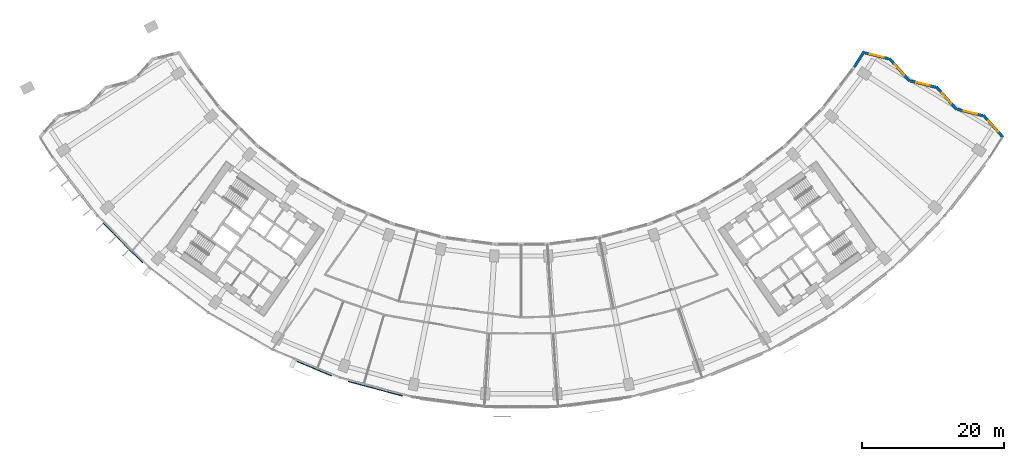
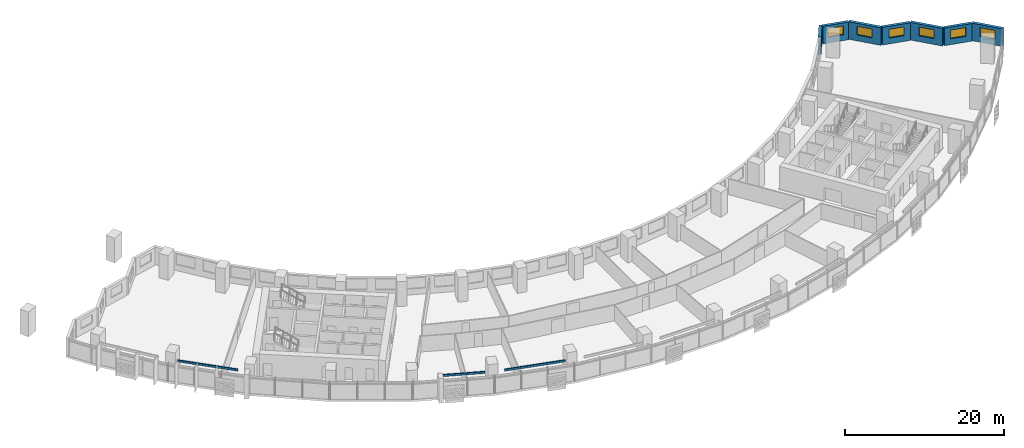
# One storey, part 8 of 31: 7 walls, 6 windows, 3 discrete accessories, 6 openings.
"""IFC4 building model written with IfcOpenShell, lengths in metres."""

from ifc_helpers import new_model, si_unit, direction, frame, frame_2d, origin, origin_2d, place, context, subcontext, project, spatial, rectangle, extrude, material, layer, layer_set, type_object, element, fill, save


model = new_model("IFC4")

# Units and contexts
model_context = context("Model", 3, precision=1e-05, world=origin(), true_north=direction((0.0, 1.0)))
body_context = subcontext(model_context, "Body", "Model", "MODEL_VIEW")
ifc_project = project(units=[si_unit("LENGTHUNIT", "METRE"), si_unit("AREAUNIT", "SQUARE_METRE"), si_unit("VOLUMEUNIT", "CUBIC_METRE"), si_unit("PLANEANGLEUNIT", "RADIAN"), si_unit("MASSUNIT", "GRAM", prefix="KILO")], contexts=[model_context])

# Site, building, storey
site_placement = place(None, origin())
site = spatial("IfcSite", under=ifc_project, at=site_placement, CompositionType="ELEMENT")
building_placement = place(site_placement, origin())
building = spatial("IfcBuilding", under=site, at=building_placement, Name="Qamariyya Broadcast Tower", CompositionType="ELEMENT")
storey_placement = place(building_placement, frame((0.0, 0.0, 82.300048828125)))
storey = spatial("IfcBuildingStorey", under=building, at=storey_placement, Name="L17", CompositionType="ELEMENT", Elevation=82.300048828125)

# Wall, opening, window
ifc_material_1 = material(Name="Terracotta", Category="masonry")
ifc_layer = layer(ifc_material_1, 0.39990234375)
ifc_layer_set = layer_set([ifc_layer], Name="Terracotta clad wall 400")
wall_type = type_object("IfcWallType", Name="Terracotta clad wall 400", PredefinedType="SOLIDWALL", material=ifc_layer_set)
wall_1_placement = place(storey_placement, frame((68.009521484375, -41.345947265625, 0.0), z_axis=(0.0, 0.0, 1.0), x_axis=(-0.665366936745, 0.746516469669, 0.0)))
wall_1 = element("IfcWall", 1, at=wall_1_placement, inside=storey, type_object=wall_type, Name="e-wl-L17-capE0", PredefinedType="SOLIDWALL", context=body_context, shape_type="SweptSolid", body=[
    extrude(rectangle(XDim=4.12158203125, YDim=0.39990234375, at=frame_2d((2.060791015625, 0.0))), origin(), (0.0, 0.0, 1.0), 2.699951171875),
])
opening_1_placement = place(wall_1_placement, frame((1.060791015625, 0.0, 0.89990234375)))
opening_1 = element("IfcOpeningElement", 2, at=opening_1_placement, cuts=wall_1, Name="Opening W4", PredefinedType="OPENING", context=body_context, shape_type="SweptSolid", body=[
    extrude(rectangle(XDim=2.0, YDim=1.35009765625, at=frame_2d((1.0, 0.675048828125))), frame((0.0, 0.2099609375, 0.0), z_axis=(0.0, -1.0, 0.0), x_axis=(1.0, 0.0, 0.0)), (0.0, 0.0, 1.0), 0.419921875),
])
ifc_material_2 = material(Name="Clear low-e double glazed unit in aluminium frame", Category="aluminium")
window_type = type_object("IfcWindowType", Name="Horn bay window 2000 x 1350", PartitioningType="SINGLE_PANEL", PredefinedType="WINDOW", material=ifc_material_2)
window_1_placement = place(opening_1_placement, origin())
window_1 = element("IfcWindow", 3, at=window_1_placement, inside=storey, type_object=window_type, Name="e-w-L17-capE0", OverallHeight=1.35009765625, OverallWidth=2.0, PartitioningType="SINGLE_PANEL", PredefinedType="WINDOW", context=body_context, shape_type="SweptSolid", body=[
    extrude(rectangle(XDim=2.0, YDim=1.35009765625, at=frame_2d((1.0, 0.675048828125))), frame((0.0, 0.030029296875, 0.0), z_axis=(0.0, -1.0, 0.0), x_axis=(1.0, 0.0, 0.0)), (0.0, 0.0, 1.0), 0.06005859375),
])
fill(opening_1, window_1)

wall_2_placement = place(storey_placement, frame((65.142822265625, -38.302001953125, 0.0), z_axis=(0.0, 0.0, 1.0), x_axis=(-0.970519189447, 0.241023863788, 0.0)))
wall_2 = element("IfcWall", 4, at=wall_2_placement, inside=storey, type_object=wall_type, Name="e-wl-L17-capE1", PredefinedType="SOLIDWALL", context=body_context, shape_type="SweptSolid", body=[
    extrude(rectangle(XDim=3.648681640625, YDim=0.39990234375, at=frame_2d((1.82421875, 0.0))), origin(), (0.0, 0.0, 1.0), 2.699951171875),
])
opening_2_placement = place(wall_2_placement, frame((0.824462890625, 0.0, 0.89990234375)))
opening_2 = element("IfcOpeningElement", 5, at=opening_2_placement, cuts=wall_2, Name="Opening W4", PredefinedType="OPENING", context=body_context, shape_type="SweptSolid", body=[
    extrude(rectangle(XDim=2.0, YDim=1.35009765625, at=frame_2d((1.0, 0.675048828125))), frame((0.0, 0.2099609375, 0.0), z_axis=(0.0, -1.0, 0.0), x_axis=(1.0, 0.0, 0.0)), (0.0, 0.0, 1.0), 0.419921875),
])
window_2_placement = place(opening_2_placement, origin())
window_2 = element("IfcWindow", 6, at=window_2_placement, inside=storey, type_object=window_type, Name="e-w-L17-capE1", OverallHeight=1.35009765625, OverallWidth=2.0, PartitioningType="SINGLE_PANEL", PredefinedType="WINDOW", context=body_context, shape_type="SweptSolid", body=[
    extrude(rectangle(XDim=2.0, YDim=1.35009765625, at=frame_2d((1.0, 0.675048828125))), frame((0.0, 0.030029296875, 0.0), z_axis=(0.0, -1.0, 0.0), x_axis=(1.0, 0.0, 0.0)), (0.0, 0.0, 1.0), 0.06005859375),
])
fill(opening_2, window_2)

wall_3_placement = place(storey_placement, frame((61.4775390625, -37.45556640625, 0.0), z_axis=(0.0, 0.0, 1.0), x_axis=(-0.665411157613, 0.746477053448, 0.0)))
wall_3 = element("IfcWall", 7, at=wall_3_placement, inside=storey, type_object=wall_type, Name="e-wl-L17-capE2", PredefinedType="SOLIDWALL", context=body_context, shape_type="SweptSolid", body=[
    extrude(rectangle(XDim=4.294677734375, YDim=0.39990234375, at=frame_2d((2.1474609375, 0.0))), origin(), (0.0, 0.0, 1.0), 2.699951171875),
])
opening_3_placement = place(wall_3_placement, frame((1.147216796875, 0.0, 0.89990234375)))
opening_3 = element("IfcOpeningElement", 8, at=opening_3_placement, cuts=wall_3, Name="Opening W4", PredefinedType="OPENING", context=body_context, shape_type="SweptSolid", body=[
    extrude(rectangle(XDim=2.0, YDim=1.35009765625, at=frame_2d((1.0, 0.675048828125))), frame((0.0, 0.2099609375, 0.0), z_axis=(0.0, -1.0, 0.0), x_axis=(1.0, 0.0, 0.0)), (0.0, 0.0, 1.0), 0.419921875),
])
window_3_placement = place(opening_3_placement, origin())
window_3 = element("IfcWindow", 9, at=window_3_placement, inside=storey, type_object=window_type, Name="e-w-L17-capE2", OverallHeight=1.35009765625, OverallWidth=2.0, PartitioningType="SINGLE_PANEL", PredefinedType="WINDOW", context=body_context, shape_type="SweptSolid", body=[
    extrude(rectangle(XDim=2.0, YDim=1.35009765625, at=frame_2d((1.0, 0.675048828125))), frame((0.0, 0.030029296875, 0.0), z_axis=(0.0, -1.0, 0.0), x_axis=(1.0, 0.0, 0.0)), (0.0, 0.0, 1.0), 0.06005859375),
])
fill(opening_3, window_3)

wall_4_placement = place(storey_placement, frame((58.495849609375, -34.282958984375, 0.0), z_axis=(0.0, 0.0, 1.0), x_axis=(-0.970523180953, 0.241007790815, 0.0)))
wall_4 = element("IfcWall", 10, at=wall_4_placement, inside=storey, type_object=wall_type, Name="e-wl-L17-capE3", PredefinedType="SOLIDWALL", context=body_context, shape_type="SweptSolid", body=[
    extrude(rectangle(XDim=3.647705078125, YDim=0.39990234375, at=frame_2d((1.82373046875, 0.0))), origin(), (0.0, 0.0, 1.0), 2.699951171875),
])
opening_4_placement = place(wall_4_placement, frame((0.82373046875, 0.0, 0.89990234375)))
opening_4 = element("IfcOpeningElement", 11, at=opening_4_placement, cuts=wall_4, Name="Opening W4", PredefinedType="OPENING", context=body_context, shape_type="SweptSolid", body=[
    extrude(rectangle(XDim=2.0, YDim=1.35009765625, at=frame_2d((1.0, 0.675048828125))), frame((0.0, 0.2099609375, 0.0), z_axis=(0.0, -1.0, 0.0), x_axis=(1.0, 0.0, 0.0)), (0.0, 0.0, 1.0), 0.419921875),
])
window_4_placement = place(opening_4_placement, origin())
window_4 = element("IfcWindow", 12, at=window_4_placement, inside=storey, type_object=window_type, Name="e-w-L17-capE3", OverallHeight=1.35009765625, OverallWidth=2.0, PartitioningType="SINGLE_PANEL", PredefinedType="WINDOW", context=body_context, shape_type="SweptSolid", body=[
    extrude(rectangle(XDim=2.0, YDim=1.35009765625, at=frame_2d((1.0, 0.675048828125))), frame((0.0, 0.030029296875, 0.0), z_axis=(0.0, -1.0, 0.0), x_axis=(1.0, 0.0, 0.0)), (0.0, 0.0, 1.0), 0.06005859375),
])
fill(opening_4, window_4)

wall_5_placement = place(storey_placement, frame((54.83154296875, -33.43701171875, 0.0), z_axis=(0.0, 0.0, 1.0), x_axis=(-0.66548480652, 0.746411396143, 0.0)))
wall_5 = element("IfcWall", 13, at=wall_5_placement, inside=storey, type_object=wall_type, Name="e-wl-L17-capE4", PredefinedType="SOLIDWALL", context=body_context, shape_type="SweptSolid", body=[
    extrude(rectangle(XDim=4.2958984375, YDim=0.39990234375, at=frame_2d((2.14794921875, 0.0))), origin(), (0.0, 0.0, 1.0), 2.699951171875),
])
opening_5_placement = place(wall_5_placement, frame((1.14794921875, 0.0, 0.89990234375)))
opening_5 = element("IfcOpeningElement", 14, at=opening_5_placement, cuts=wall_5, Name="Opening W4", PredefinedType="OPENING", context=body_context, shape_type="SweptSolid", body=[
    extrude(rectangle(XDim=2.0, YDim=1.35009765625, at=frame_2d((1.0, 0.675048828125))), frame((0.0, 0.2099609375, 0.0), z_axis=(0.0, -1.0, 0.0), x_axis=(1.0, 0.0, 0.0)), (0.0, 0.0, 1.0), 0.419921875),
])
window_5_placement = place(opening_5_placement, origin())
window_5 = element("IfcWindow", 15, at=window_5_placement, inside=storey, type_object=window_type, Name="e-w-L17-capE4", OverallHeight=1.35009765625, OverallWidth=2.0, PartitioningType="SINGLE_PANEL", PredefinedType="WINDOW", context=body_context, shape_type="SweptSolid", body=[
    extrude(rectangle(XDim=2.0, YDim=1.35009765625, at=frame_2d((1.0, 0.675048828125))), frame((0.0, 0.030029296875, 0.0), z_axis=(0.0, -1.0, 0.0), x_axis=(1.0, 0.0, 0.0)), (0.0, 0.0, 1.0), 0.06005859375),
])
fill(opening_5, window_5)

wall_6_placement = place(storey_placement, frame((51.848388671875, -30.263427734375, 0.0), z_axis=(0.0, 0.0, 1.0), x_axis=(-0.970551535224, 0.240893581225, 0.0)))
wall_6 = element("IfcWall", 16, at=wall_6_placement, inside=storey, type_object=wall_type, Name="e-wl-L17-capE5", PredefinedType="SOLIDWALL", context=body_context, shape_type="SweptSolid", body=[
    extrude(rectangle(XDim=3.39404296875, YDim=0.39990234375, at=frame_2d((1.697021484375, 0.0))), origin(), (0.0, 0.0, 1.0), 2.699951171875),
])
opening_6_placement = place(wall_6_placement, frame((0.697021484375, 0.0, 0.89990234375)))
opening_6 = element("IfcOpeningElement", 17, at=opening_6_placement, cuts=wall_6, Name="Opening W4", PredefinedType="OPENING", context=body_context, shape_type="SweptSolid", body=[
    extrude(rectangle(XDim=2.0, YDim=1.35009765625, at=frame_2d((1.0, 0.675048828125))), frame((0.0, 0.2099609375, 0.0), z_axis=(0.0, -1.0, 0.0), x_axis=(1.0, 0.0, 0.0)), (0.0, 0.0, 1.0), 0.419921875),
])
window_6_placement = place(opening_6_placement, origin())
window_6 = element("IfcWindow", 18, at=window_6_placement, inside=storey, type_object=window_type, Name="e-w-L17-capE5", OverallHeight=1.35009765625, OverallWidth=2.0, PartitioningType="SINGLE_PANEL", PredefinedType="WINDOW", context=body_context, shape_type="SweptSolid", body=[
    extrude(rectangle(XDim=2.0, YDim=1.35009765625, at=frame_2d((1.0, 0.675048828125))), frame((0.0, 0.030029296875, 0.0), z_axis=(0.0, -1.0, 0.0), x_axis=(1.0, 0.0, 0.0)), (0.0, 0.0, 1.0), 0.06005859375),
])
fill(opening_6, window_6)

# Wall
wall_7_placement = place(storey_placement, frame((48.413818359375, -29.225341796875, 0.0), z_axis=(0.0, 0.0, 1.0), x_axis=(-0.536640076368, -0.843811251665, 0.0)))
element("IfcWall", 19, at=wall_7_placement, inside=storey, type_object=wall_type, Name="e-wl-L17-in160", PredefinedType="SOLIDWALL", context=body_context, shape_type="SweptSolid", body=[
    extrude(rectangle(XDim=2.6171875, YDim=0.39990234375, at=frame_2d((1.30859375, 0.0))), origin(), (0.0, 0.0, 1.0), 2.699951171875),
])

# Discrete accessories
ifc_material_3 = material(Name="Stainless steel 316", Category="steel")
discrete_accessory_type = type_object("IfcDiscreteAccessoryType", Name="Slab edge fixing angle, stainless steel", PredefinedType="BRACKET", material=ifc_material_3)
discrete_accessory_1_placement = place(storey_placement, frame((-56.25341796875, -56.25341796875, 3.2998046875), z_axis=(0.0, 0.0, 1.0), x_axis=(0.707106781187, -0.707106781187, 0.0)))
element("IfcDiscreteAccessory", 20, at=discrete_accessory_1_placement, inside=storey, type_object=discrete_accessory_type, Name="e-br-L17-02-0", PredefinedType="BRACKET", context=body_context, shape_type="SweptSolid", body=[
    extrude(rectangle(XDim=7.9140625, YDim=0.14990234375, at=origin_2d()), origin(), (0.0, 0.0, 1.0), 0.300048828125),
])
discrete_accessory_2_placement = place(storey_placement, frame((-29.240966796875, -73.9970703125, 3.2998046875), z_axis=(0.0, 0.0, 1.0), x_axis=(0.923879532511, -0.382683432365, 0.0)))
element("IfcDiscreteAccessory", 21, at=discrete_accessory_2_placement, inside=storey, type_object=discrete_accessory_type, Name="e-br-L17-05-0", PredefinedType="BRACKET", context=body_context, shape_type="SweptSolid", body=[
    extrude(rectangle(XDim=5.309326171875, YDim=0.14990234375, at=origin_2d()), origin(), (0.0, 0.0, 1.0), 0.300048828125),
])
discrete_accessory_3_placement = place(storey_placement, frame((-20.59033203125, -76.84375, 3.2998046875), z_axis=(0.0, 0.0, 1.0), x_axis=(0.965925826289, -0.258819045103, 0.0)))
element("IfcDiscreteAccessory", 22, at=discrete_accessory_3_placement, inside=storey, type_object=discrete_accessory_type, Name="e-br-L17-06-0", PredefinedType="BRACKET", context=body_context, shape_type="SweptSolid", body=[
    extrude(rectangle(XDim=7.9140625, YDim=0.14990234375, at=origin_2d()), origin(), (0.0, 0.0, 1.0), 0.300048828125),
])

save(model, "model.ifc")
